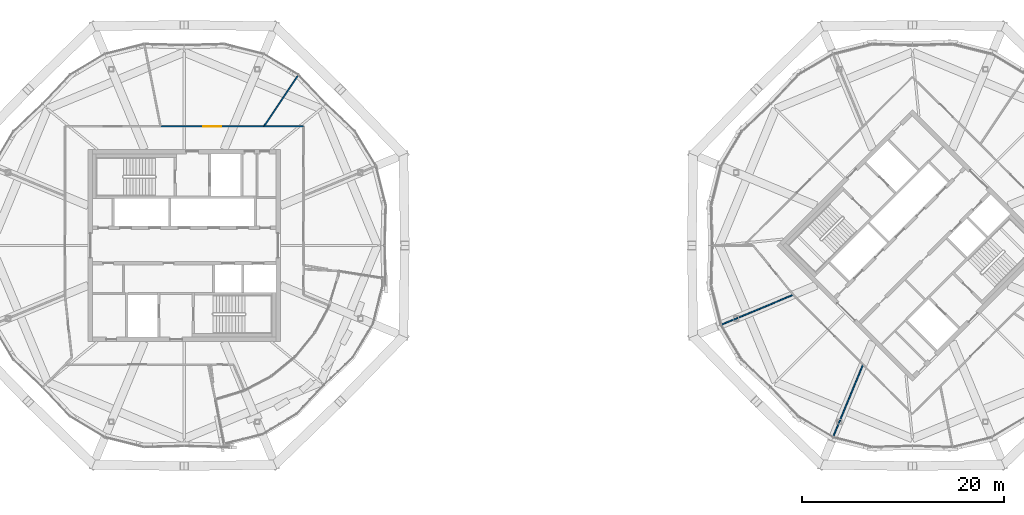
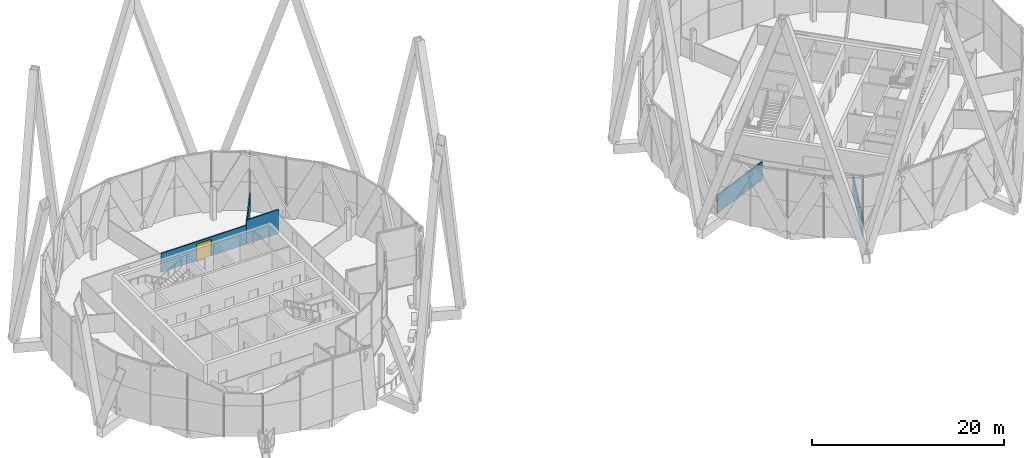
# One storey, part 47 of 53: 5 walls, 1 door, 1 opening.
"""IFC4 building model written with IfcOpenShell, lengths in metres."""

from ifc_helpers import new_model, si_unit, direction, frame, frame_2d, origin, place, context, subcontext, project, spatial, rectangle, extrude, material, layer, layer_set, type_object, element, fill, save


model = new_model("IFC4")

# Units and contexts
model_context = context("Model", 3, precision=1e-05, world=origin(), true_north=direction((0.0, 1.0)))
body_context = subcontext(model_context, "Body", "Model", "MODEL_VIEW")
ifc_project = project(units=[si_unit("LENGTHUNIT", "METRE"), si_unit("AREAUNIT", "SQUARE_METRE"), si_unit("VOLUMEUNIT", "CUBIC_METRE"), si_unit("PLANEANGLEUNIT", "RADIAN"), si_unit("MASSUNIT", "GRAM", prefix="KILO")], contexts=[model_context])

# Site, building, storey
site_placement = place(None, origin())
site = spatial("IfcSite", under=ifc_project, at=site_placement, CompositionType="ELEMENT")
building_placement = place(site_placement, origin())
building = spatial("IfcBuilding", under=site, at=building_placement, Name="Ogive Gate Towers", CompositionType="ELEMENT")
storey_placement = place(building_placement, frame((0.0, 0.0, 240.60009765625)))
storey = spatial("IfcBuildingStorey", under=building, at=storey_placement, Name="L57", CompositionType="ELEMENT", Elevation=240.60009765625)

# Wall
ifc_material_1 = material(Name="Gypsum board partition")
ifc_layer = layer(ifc_material_1, 0.125)
ifc_layer_set = layer_set([ifc_layer], Name="Partition 125")
wall_type = type_object("IfcWallType", Name="Partition 125", PredefinedType="PARTITIONING", material=ifc_layer_set)
wall_1_placement = place(storey_placement, frame((-24.764892578125, 16.798583984375, 0.0), z_axis=(0.0, 0.0, 1.0), x_axis=(-0.555934527452, -0.831226083077, 0.0)))
element("IfcWall", 1, at=wall_1_placement, inside=storey, type_object=wall_type, Name="Partition T1-L57-002", PredefinedType="PARTITIONING", context=body_context, shape_type="SweptSolid", body=[
    extrude(rectangle(XDim=5.9765625, YDim=0.125, at=frame_2d((2.98828125, 0.0))), origin(), (0.0, 0.0, 1.0), 2.2998046875),
])

# Wall, opening, door
wall_2_placement = place(storey_placement, frame((-38.33984375, 11.79052734375, 0.0), z_axis=(0.0, 0.0, 1.0), x_axis=(0.999999369431, -0.001123004166, 0.0)))
wall_2 = element("IfcWall", 2, at=wall_2_placement, inside=storey, type_object=wall_type, Name="Partition T1-L57-020", PredefinedType="PARTITIONING", context=body_context, shape_type="SweptSolid", body=[
    extrude(rectangle(XDim=10.2177734375, YDim=0.125, at=frame_2d((5.10888671875, 0.0))), origin(), (0.0, 0.0, 1.0), 2.39990234375),
])
opening_placement = place(wall_2_placement, frame((4.208984375, 0.0, 0.0)))
opening = element("IfcOpeningElement", 3, at=opening_placement, cuts=wall_2, Name="Opening T1-L57-D07", PredefinedType="OPENING", context=body_context, shape_type="SweptSolid", body=[
    extrude(rectangle(XDim=1.800048828125, YDim=2.10009765625, at=frame_2d((0.89990234375, 1.050048828125))), frame((0.0, 0.072509765625, 0.0), z_axis=(0.0, -1.0, 0.0), x_axis=(1.0, 0.0, 0.0)), (0.0, 0.0, 1.0), 0.14501953125),
])
ifc_material_2 = material(Name="Timber door", Category="wood")
door_type = type_object("IfcDoorType", Name="Door pair 1800", OperationType="NOTDEFINED", PredefinedType="DOOR", material=ifc_material_2)
door_placement = place(opening_placement, origin())
door = element("IfcDoor", 4, at=door_placement, inside=storey, type_object=door_type, Name="Door T1-L57-D07", OperationType="DOUBLE_DOOR_DOUBLE_SWING", OverallHeight=2.10009765625, OverallWidth=1.800048828125, PredefinedType="DOOR", context=body_context, shape_type="SweptSolid", body=[
    extrude(rectangle(XDim=1.800048828125, YDim=2.10009765625, at=frame_2d((0.89990234375, 1.050048828125))), frame((0.0, 0.02490234375, 0.0), z_axis=(0.0, -1.0, 0.0), x_axis=(1.0, 0.0, 0.0)), (0.0, 0.0, 1.0), 0.050048828125),
])
fill(opening, door)

# Walls
wall_3_placement = place(storey_placement, frame((-28.1220703125, 11.779052734375, 0.0), z_axis=(0.0, 0.0, 1.0), x_axis=(0.999999968683, 0.0002502659, 0.0)))
element("IfcWall", 5, at=wall_3_placement, inside=storey, type_object=wall_type, Name="Partition T1-L57-022", PredefinedType="PARTITIONING", context=body_context, shape_type="SweptSolid", body=[
    extrude(rectangle(XDim=3.902099609375, YDim=0.125, at=frame_2d((1.951171875, 0.0))), origin(), (0.0, 0.0, 1.0), 3.0498046875),
])
for number, where, z_axis, x_axis, name in (
    (6, (17.06201171875, -7.844482421875, 0.0), (0.0, 0.0, 1.0), (0.923876663898, 0.382690357736, 0.0), "Partition T2-L57-005"),
    (7, (28.155517578125, -18.93798828125, 0.0), (0.0, 0.0, 1.0), (0.382690357736, 0.923876663898, 0.0), "Partition T2-L57-006"),
):
    element("IfcWall", number, at=place(storey_placement, frame(where, z_axis=z_axis, x_axis=x_axis)), inside=storey, type_object=wall_type, Name=name, PredefinedType="PARTITIONING", context=body_context, shape_type="SweptSolid", body=[
        extrude(rectangle(XDim=7.684814453125, YDim=0.125, at=frame_2d((3.84228515625, 0.0))), origin(), (0.0, 0.0, 1.0), 2.2998046875),
    ])

save(model, "model.ifc")
